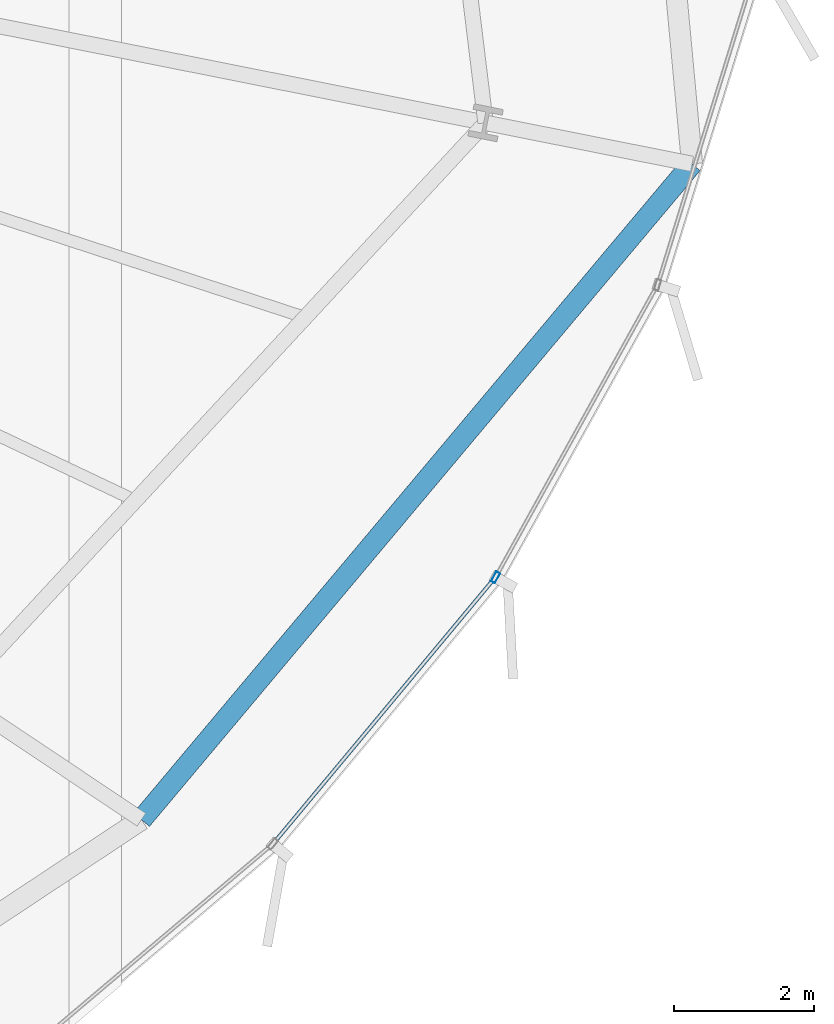
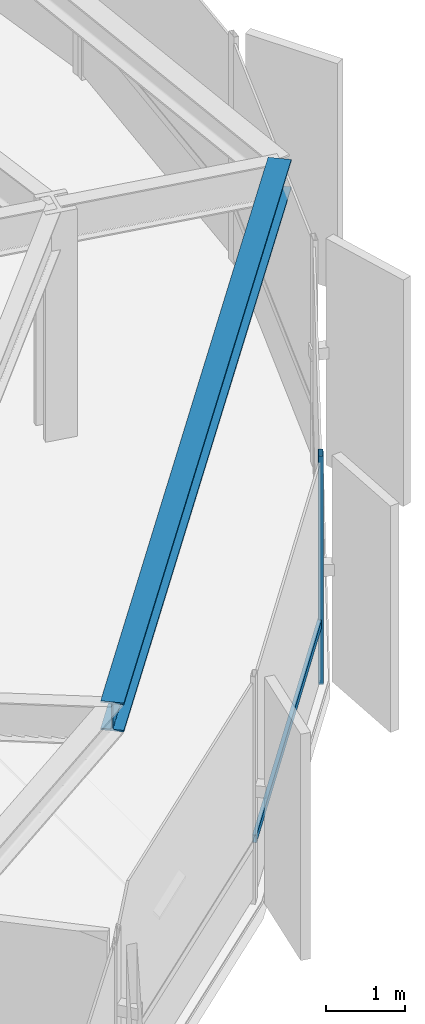
# One storey, part 15 of 42: 2 members, 1 beam, 1 element without a shape of its own.
"""IFC4 building model written with IfcOpenShell, lengths in metres."""

from ifc_helpers import new_model, si_unit, direction, frame, origin, origin_2d, place, context, subcontext, project, spatial, hollow_rectangle, i_section, extrude, source, transform, mapped, material, layer, layer_set, material_profile, profile_set, type_object, element, aggregate, save


model = new_model("IFC4")

# Units and contexts
model_context = context("Model", 3, precision=1e-05, world=origin(), true_north=direction((0.0, 1.0)))
body_context = subcontext(model_context, "Body", "Model", "MODEL_VIEW")
ifc_project = project(units=[si_unit("LENGTHUNIT", "METRE"), si_unit("AREAUNIT", "SQUARE_METRE"), si_unit("VOLUMEUNIT", "CUBIC_METRE"), si_unit("PLANEANGLEUNIT", "RADIAN"), si_unit("MASSUNIT", "GRAM", prefix="KILO"), si_unit("THERMODYNAMICTEMPERATUREUNIT", "KELVIN")], contexts=[model_context])

# Site, building, storey
site_placement = place(None, origin())
site = spatial("IfcSite", under=ifc_project, at=site_placement, CompositionType="ELEMENT")
building_placement = place(site_placement, origin())
building = spatial("IfcBuilding", under=site, at=building_placement, Name="Kethvar Cultural Tower", CompositionType="ELEMENT")
storey_placement = place(building_placement, frame((0.0, 0.0, 37.199951171875)))
storey = spatial("IfcBuildingStorey", under=building, at=storey_placement, Name="L08", CompositionType="ELEMENT", Elevation=37.199951171875)

# Beam
ifc_material_1 = material(Name="Steel S355J2", Category="steel")
ifc_material_profile_1 = material_profile(ifc_material_1, i_section(OverallWidth=0.300048828125, OverallDepth=0.449951171875, WebThickness=0.013916015625, FlangeThickness=0.02587890625, FilletRadius=0.027099609375, at=origin_2d()), Name="Steel S355J2 — HEB450")
ifc_profile_set_1 = profile_set([ifc_material_profile_1], Name="Steel S355J2 — HEB450")
beam_type = type_object("IfcBeamType", Name="BM-SP450", PredefinedType="SPANDREL", material=ifc_profile_set_1)
shared_shape_1 = source(origin(), body_context, "Body", "SweptSolid", [
    extrude(i_section(OverallWidth=0.300048828125, OverallDepth=0.449951171875, WebThickness=0.013916015625, FlangeThickness=0.02587890625, FilletRadius=0.027099609375, at=origin_2d()), origin(), (0.0, 0.0, 1.0), 12.22265625),
])
beam_placement = place(storey_placement, frame((70.0791015625, 12.24560546875, 3.322998046875), z_axis=(0.643034676351, 0.765837061659, 0.0), x_axis=(-0.765837061659, 0.643034676351, 0.0)))
element("IfcBeam", 1, at=beam_placement, inside=storey, type_object=beam_type, Name="L08 Perimeter Spandrel Beam SP-15", PredefinedType="SPANDREL", context=body_context, shape_type="MappedRepresentation", body=[
    mapped(shared_shape_1, transform((0.0, 0.0, 0.0), scale=1.0)),
])

# Curtain wall, members
ifc_material_2 = material(Name="Aluminium 6063-T6", Category="aluminium")
ifc_layer = layer(ifc_material_2, 0.179931640625, Name="Aluminium 6063-T6", Category="aluminium")
ifc_layer_set = layer_set([ifc_layer], Name="Aluminium 6063-T6 (180 mm)")
curtain_wall_type = type_object("IfcCurtainWallType", Name="CW-SYS-02-Z1", PredefinedType="NOTDEFINED", material=ifc_layer_set)
curtain_wall_placement = place(storey_placement, origin())
curtain_wall = element("IfcCurtainWall", 2, at=curtain_wall_placement, inside=storey, type_object=curtain_wall_type, Name="L08 Curtain Wall Run 06", PredefinedType="NOTDEFINED")
ifc_material_profile_2 = material_profile(ifc_material_2, hollow_rectangle(XDim=0.06494140625, YDim=0.159912109375, WallThickness=0.0048828125, at=origin_2d()), Name="Aluminium 6063-T6 — RHS160x65x5")
ifc_profile_set_2 = profile_set([ifc_material_profile_2], Name="Aluminium 6063-T6 — RHS160x65x5")
member_type_1 = type_object("IfcMemberType", Name="CW-SYS-02-Z1-MUL", PredefinedType="MULLION", material=ifc_profile_set_2)
shared_shape_2 = source(origin(), body_context, "Body", "SweptSolid", [
    extrude(hollow_rectangle(XDim=0.06494140625, YDim=0.159912109375, WallThickness=0.0048828125, at=origin_2d()), origin(), (0.0, 0.0, 1.0), 3.550048828125),
])
member_1_placement = place(storey_placement, frame((75.13330078125, 15.7041015625, 0.0), z_axis=(0.0, 0.0, 1.0), x_axis=(-0.874780428005, 0.484519558717, 0.0)))
member_1 = element("IfcMember", 3, at=member_1_placement, type_object=member_type_1, Name="CW-L08-R06 Mullion 4", PredefinedType="MULLION", context=body_context, shape_type="MappedRepresentation", body=[
    mapped(shared_shape_2, transform((0.0, 0.0, 0.0), scale=1.0)),
])
ifc_material_profile_3 = material_profile(ifc_material_2, hollow_rectangle(XDim=0.054931640625, YDim=0.1201171875, WallThickness=0.00390625, at=origin_2d()), Name="Aluminium 6063-T6 — RHS120x55x4")
ifc_profile_set_3 = profile_set([ifc_material_profile_3], Name="Aluminium 6063-T6 — RHS120x55x4")
member_type_2 = type_object("IfcMemberType", Name="CW-SYS-02-Z1-TRN", PredefinedType="USERDEFINED", material=ifc_profile_set_3)
shared_shape_3 = source(origin(), body_context, "Body", "SweptSolid", [
    extrude(hollow_rectangle(XDim=0.054931640625, YDim=0.1201171875, WallThickness=0.00390625, at=origin_2d()), origin(), (0.0, 0.0, 1.0), 4.888916015625),
])
member_2_placement = place(storey_placement, frame((71.984619140625, 11.9326171875, 0.949951171875), z_axis=(0.640537981864, 0.767926489834, 0.0), x_axis=(-0.767926489834, 0.640537981864, 0.0)))
member_2 = element("IfcMember", 4, at=member_2_placement, type_object=member_type_2, Name="CW-L08-R06 Transom 3", ObjectType="TRANSOM", PredefinedType="USERDEFINED", context=body_context, shape_type="MappedRepresentation", body=[
    mapped(shared_shape_3, transform((0.0, 0.0, 0.0), scale=1.0)),
])
aggregate(curtain_wall, [member_1, member_2])

save(model, "model.ifc")
